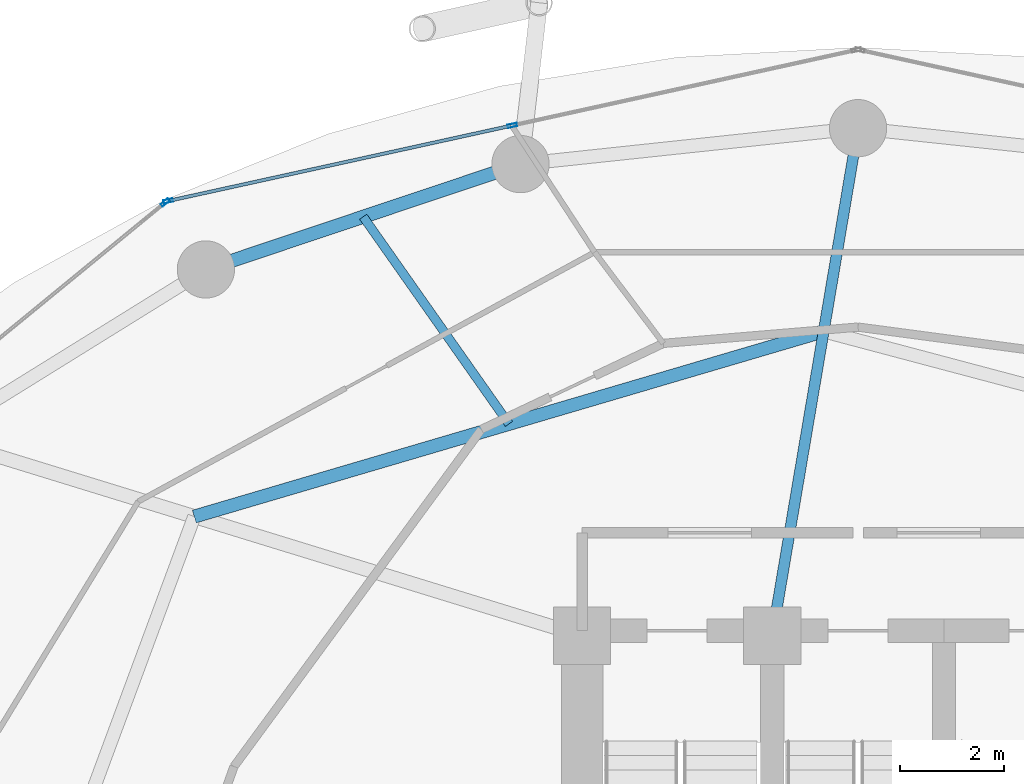
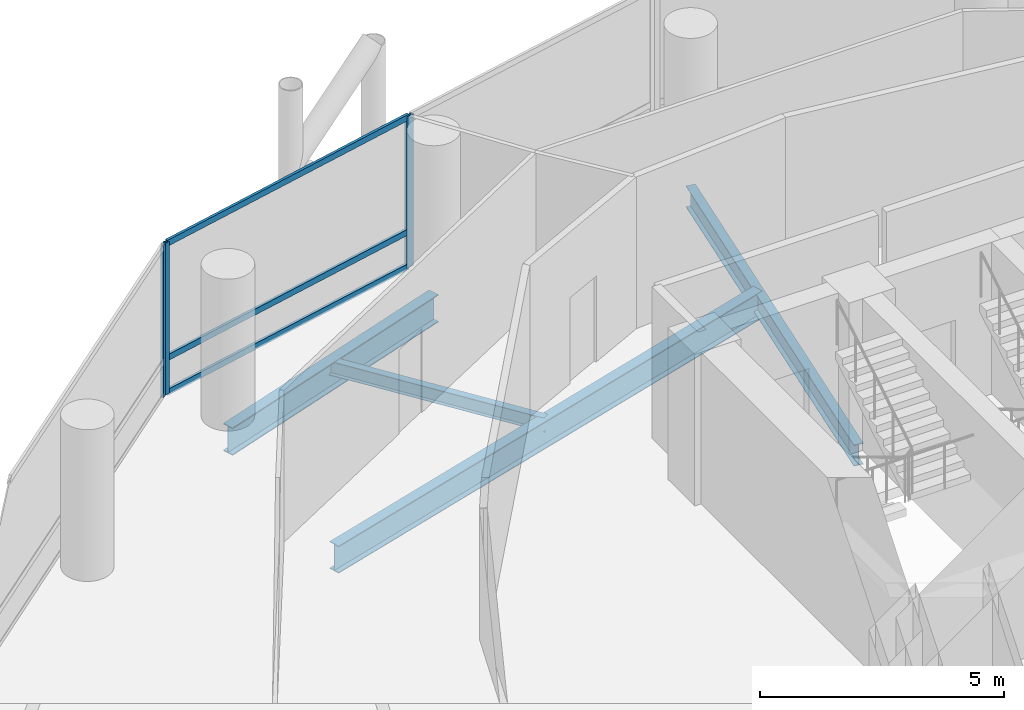
# One storey, part 15 of 25: 6 members, 4 beams, 2 elements without a shape of their own.
"""IFC4 building model written with IfcOpenShell, lengths in metres."""

from ifc_helpers import new_model, si_unit, direction, frame, origin, origin_2d, place, context, subcontext, project, spatial, hollow_rectangle, i_section, extrude, material, layer, layer_set, material_profile, profile_set, type_object, element, aggregate, save


model = new_model("IFC4")

# Units and contexts
model_context = context("Model", 3, precision=1e-05, world=origin(), true_north=direction((0.0, 1.0)))
body_context = subcontext(model_context, "Body", "Model", "MODEL_VIEW")
ifc_project = project(units=[si_unit("LENGTHUNIT", "METRE"), si_unit("AREAUNIT", "SQUARE_METRE"), si_unit("VOLUMEUNIT", "CUBIC_METRE"), si_unit("PLANEANGLEUNIT", "RADIAN"), si_unit("MASSUNIT", "GRAM", prefix="KILO")], contexts=[model_context])

# Site, building, storey
site_placement = place(None, origin())
site = spatial("IfcSite", under=ifc_project, at=site_placement, CompositionType="ELEMENT")
building_placement = place(site_placement, origin())
building = spatial("IfcBuilding", under=site, at=building_placement, Name="Nuhasar Tower", CompositionType="ELEMENT")
storey_placement = place(building_placement, frame((0.0, 0.0, 61.5)))
storey = spatial("IfcBuildingStorey", under=building, at=storey_placement, Name="L14", CompositionType="ELEMENT", Elevation=61.5)

# Beams
ifc_material_1 = material(Name="Steel S355", Category="steel")
ifc_material_profile_1 = material_profile(ifc_material_1, i_section(OverallWidth=0.25390625, OverallDepth=0.68408203125, WebThickness=0.012451171875, FlangeThickness=0.018798828125, at=origin_2d()), Name="W27X94")
ifc_profile_set_1 = profile_set([ifc_material_profile_1], Name="Steel S355")
beam_type_1 = type_object("IfcBeamType", Name="BM-INRING-W27X94", PredefinedType="BEAM", material=ifc_profile_set_1)
beam_1_placement = place(storey_placement, frame((38.340087890625, 43.14990234375, -0.592041015625), z_axis=(-0.959290190666, -0.28242225495, 0.0), x_axis=(0.28242225495, -0.959290190666, 0.0)))
element("IfcBeam", 1, at=beam_1_placement, inside=storey, type_object=beam_type_1, Name="L14 Inner Header Beam 06", PredefinedType="BEAM", context=body_context, shape_type="SweptSolid", body=[
    extrude(i_section(OverallWidth=0.25390625, OverallDepth=0.68408203125, WebThickness=0.012451171875, FlangeThickness=0.018798828125, at=origin_2d()), origin(), (0.0, 0.0, 1.0), 12.60107421875),
])
ifc_material_profile_2 = material_profile(ifc_material_1, i_section(OverallWidth=0.1708984375, OverallDepth=0.35205078125, WebThickness=0.0068359375, FlangeThickness=0.009765625, at=origin_2d()), Name="W14X30")
ifc_profile_set_2 = profile_set([ifc_material_profile_2], Name="Steel S355")
beam_type_2 = type_object("IfcBeamType", Name="BM-JST-W14X30", PredefinedType="JOIST", material=ifc_profile_set_2)
beam_2_placement = place(storey_placement, frame((32.2958984375, 41.3701171875, -0.426025390625), z_axis=(-0.575461088141, 0.817829160666, 0.0), x_axis=(-0.817829160666, -0.575461088141, 0.0)))
element("IfcBeam", 2, at=beam_2_placement, inside=storey, type_object=beam_type_2, Name="L14 Secondary Floor Joist 06", PredefinedType="JOIST", context=body_context, shape_type="SweptSolid", body=[
    extrude(i_section(OverallWidth=0.1708984375, OverallDepth=0.35205078125, WebThickness=0.0068359375, FlangeThickness=0.009765625, at=origin_2d()), origin(), (0.0, 0.0, 1.0), 4.865234375),
])
ifc_material_profile_3 = material_profile(ifc_material_1, i_section(OverallWidth=0.208984375, OverallDepth=0.532958984375, WebThickness=0.01025390625, FlangeThickness=0.015625, at=origin_2d()), Name="W21X62")
ifc_profile_set_3 = profile_set([ifc_material_profile_3], Name="Steel S355")
beam_type_3 = type_object("IfcBeamType", Name="BM-RAD-W21X62", PredefinedType="BEAM", material=ifc_profile_set_3)
beam_3_placement = place(storey_placement, frame((37.35009765625, 37.300048828125, -0.51708984375), z_axis=(0.166848703013, 0.98598251014, 0.0), x_axis=(-0.98598251014, 0.166848703013, 0.0)))
element("IfcBeam", 3, at=beam_3_placement, inside=storey, type_object=beam_type_3, Name="L14 Radial Floor Girder 06", PredefinedType="BEAM", context=body_context, shape_type="SweptSolid", body=[
    extrude(i_section(OverallWidth=0.208984375, OverallDepth=0.532958984375, WebThickness=0.01025390625, FlangeThickness=0.015625, at=origin_2d()), origin(), (0.0, 0.0, 1.0), 9.888671875),
])
ifc_material_profile_4 = material_profile(ifc_material_1, i_section(OverallWidth=0.256103515625, OverallDepth=0.693115234375, WebThickness=0.014404296875, FlangeThickness=0.023681640625, at=origin_2d()), Name="W27X114")
ifc_profile_set_4 = profile_set([ifc_material_profile_4], Name="Steel S355")
beam_type_4 = type_object("IfcBeamType", Name="BM-RING-W27X114", PredefinedType="SPANDREL", material=ifc_profile_set_4)
beam_4_placement = place(storey_placement, frame((32.51708984375, 46.360107421875, -0.595947265625), z_axis=(-0.948249435708, -0.317526388949, 0.0), x_axis=(0.317526388949, -0.948249435708, 0.0)))
element("IfcBeam", 4, at=beam_4_placement, inside=storey, type_object=beam_type_4, Name="L14 Perimeter Ring Spandrel 08", PredefinedType="SPANDREL", context=body_context, shape_type="SweptSolid", body=[
    extrude(i_section(OverallWidth=0.256103515625, OverallDepth=0.693115234375, WebThickness=0.014404296875, FlangeThickness=0.023681640625, at=origin_2d()), origin(), (0.0, 0.0, 1.0), 6.371826171875),
])

# Curtain wall, members
ifc_material_2 = material(Name="Aluminium 6063-T6", Category="aluminium")
ifc_layer = layer(ifc_material_2, 0.199951171875)
ifc_layer_set = layer_set([ifc_layer], Name="Aluminium 6063-T6")
curtain_wall_type = type_object("IfcCurtainWallType", Name="CW-Z1-OFF", PredefinedType="NOTDEFINED", material=ifc_layer_set)
curtain_wall_1_placement = place(storey_placement, origin())
curtain_wall_1 = element("IfcCurtainWall", 5, at=curtain_wall_1_placement, inside=storey, type_object=curtain_wall_type, Name="L14 Unitised Curtain Wall 04", PredefinedType="NOTDEFINED")
ifc_material_profile_5 = material_profile(ifc_material_2, hollow_rectangle(XDim=0.06494140625, YDim=0.179931640625, WallThickness=0.0048828125, at=origin_2d()), Name="CWM-2")
ifc_profile_set_5 = profile_set([ifc_material_profile_5], Name="Aluminium 6063-T6")
member_type_1 = type_object("IfcMemberType", Name="CW-MUL-S2", PredefinedType="MULLION", material=ifc_profile_set_5)
member_1_placement = place(storey_placement, frame((32.360107421875, 47.1025390625, 0.0), z_axis=(0.0, 0.0, 1.0), x_axis=(0.214398737637, -0.976746221544, 0.0)))
member_1 = element("IfcMember", 6, at=member_1_placement, type_object=member_type_1, Name="CW-Z1 mullion 2", PredefinedType="MULLION", context=body_context, shape_type="SweptSolid", body=[
    extrude(hollow_rectangle(XDim=0.06494140625, YDim=0.179931640625, WallThickness=0.0048828125, at=origin_2d()), origin(), (0.0, 0.0, 1.0), 3.800048828125),
])
member_2_placement = place(storey_placement, frame((25.751708984375, 45.65185546875, 0.0), z_axis=(0.0, 0.0, 1.0), x_axis=(0.214398737637, -0.976746221544, 0.0)))
member_2 = element("IfcMember", 7, at=member_2_placement, type_object=member_type_1, Name="CW-Z1 mullion 3", PredefinedType="MULLION", context=body_context, shape_type="SweptSolid", body=[
    extrude(hollow_rectangle(XDim=0.06494140625, YDim=0.179931640625, WallThickness=0.0048828125, at=origin_2d()), origin(), (0.0, 0.0, 1.0), 3.800048828125),
])

# Curtain wall, member
curtain_wall_2_placement = place(storey_placement, origin())
curtain_wall_2 = element("IfcCurtainWall", 8, at=curtain_wall_2_placement, inside=storey, type_object=curtain_wall_type, Name="L14 Unitised Curtain Wall 05", PredefinedType="NOTDEFINED")
member_3_placement = place(storey_placement, frame((25.69482421875, 45.62451171875, 0.0), z_axis=(0.0, 0.0, 1.0), x_axis=(0.633744593376, -0.773542364946, 0.0)))
member_3 = element("IfcMember", 9, at=member_3_placement, type_object=member_type_1, Name="CW-Z1 mullion 1", PredefinedType="MULLION", context=body_context, shape_type="SweptSolid", body=[
    extrude(hollow_rectangle(XDim=0.06494140625, YDim=0.179931640625, WallThickness=0.0048828125, at=origin_2d()), origin(), (0.0, 0.0, 1.0), 3.800048828125),
])
aggregate(curtain_wall_2, [member_3])

# Member
ifc_material_profile_6 = material_profile(ifc_material_2, hollow_rectangle(XDim=0.06494140625, YDim=0.14990234375, WallThickness=0.00439453125, at=origin_2d()), Name="CWT-2")
ifc_profile_set_6 = profile_set([ifc_material_profile_6], Name="Aluminium 6063-T6")
member_type_2 = type_object("IfcMemberType", Name="CW-TRN-S2", PredefinedType="USERDEFINED", material=ifc_profile_set_6)
member_4_placement = place(storey_placement, frame((32.328369140625, 47.095458984375, 0.032470703125), z_axis=(-0.976749553792, -0.214383556196, 0.0), x_axis=(0.214383556196, -0.976749553792, 0.0)))
member_4 = element("IfcMember", 10, at=member_4_placement, type_object=member_type_2, Name="CW-Z1 transom 2.1", ObjectType="TRANSOM", PredefinedType="USERDEFINED", context=body_context, shape_type="SweptSolid", body=[
    extrude(hollow_rectangle(XDim=0.06494140625, YDim=0.14990234375, WallThickness=0.00439453125, at=origin_2d()), origin(), (0.0, 0.0, 1.0), 6.70068359375),
])

member_5_placement = place(storey_placement, frame((32.328369140625, 47.095458984375, 0.89990234375), z_axis=(-0.976749553792, -0.214383556196, 0.0), x_axis=(0.214383556196, -0.976749553792, 0.0)))
member_5 = element("IfcMember", 11, at=member_5_placement, type_object=member_type_2, Name="CW-Z1 transom 2.2", ObjectType="TRANSOM", PredefinedType="USERDEFINED", context=body_context, shape_type="SweptSolid", body=[
    extrude(hollow_rectangle(XDim=0.06494140625, YDim=0.14990234375, WallThickness=0.00439453125, at=origin_2d()), origin(), (0.0, 0.0, 1.0), 6.70068359375),
])

member_6_placement = place(storey_placement, frame((32.328369140625, 47.095458984375, 3.767578125), z_axis=(-0.976749553792, -0.214383556196, 0.0), x_axis=(0.214383556196, -0.976749553792, 0.0)))
member_6 = element("IfcMember", 12, at=member_6_placement, type_object=member_type_2, Name="CW-Z1 transom 2.3", ObjectType="TRANSOM", PredefinedType="USERDEFINED", context=body_context, shape_type="SweptSolid", body=[
    extrude(hollow_rectangle(XDim=0.06494140625, YDim=0.14990234375, WallThickness=0.00439453125, at=origin_2d()), origin(), (0.0, 0.0, 1.0), 6.70068359375),
])

aggregate(curtain_wall_1, [member_1, member_2, member_4, member_5, member_6])

save(model, "model.ifc")
